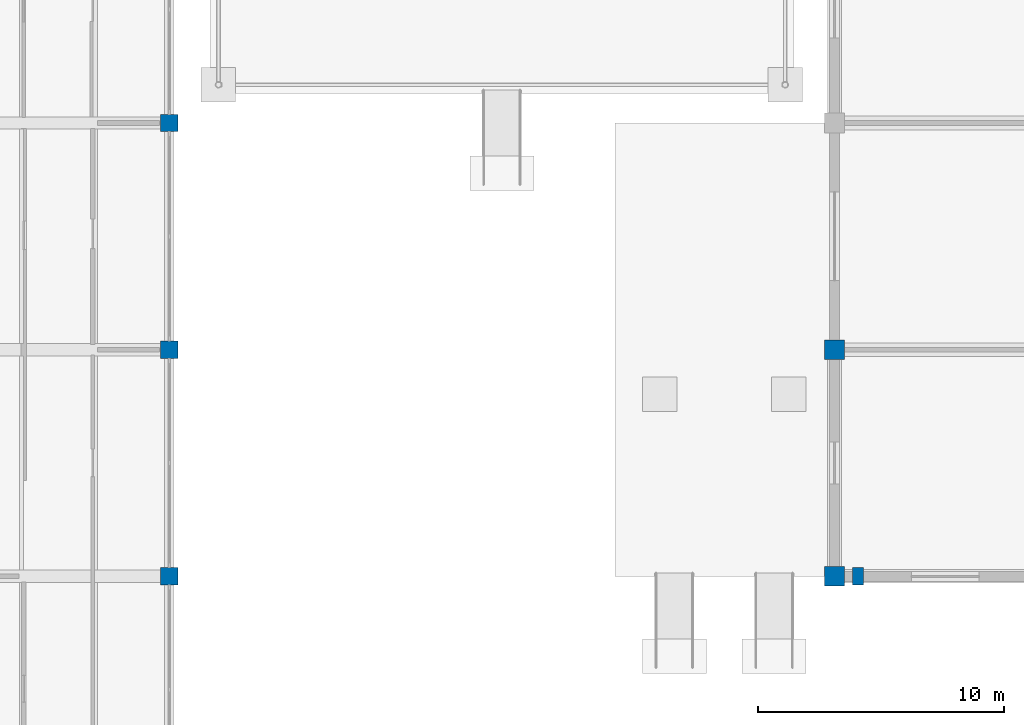
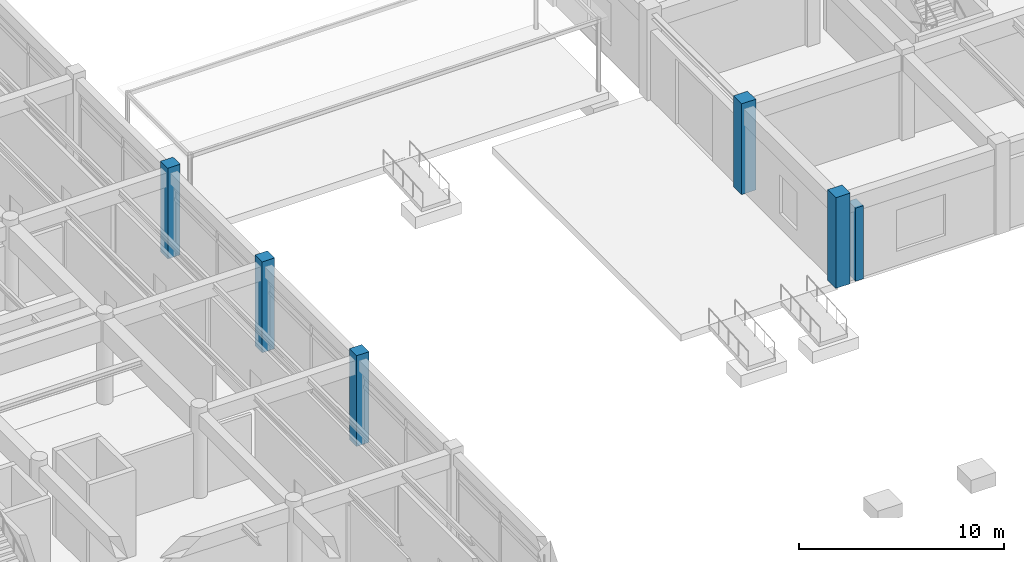
# One storey, part 20 of 76: 6 columns.
"""IFC4 building model written with IfcOpenShell, lengths in metres."""

from ifc_helpers import new_model, si_unit, direction, frame, origin, origin_2d, place, context, subcontext, project, spatial, rectangle, extrude, material, material_profile, profile_set, type_object, element, save


model = new_model("IFC4")

# Units and contexts
model_context = context("Model", 3, precision=1e-05, world=origin(), true_north=direction((0.0, 1.0)))
body_context = subcontext(model_context, "Body", "Model", "MODEL_VIEW")
ifc_project = project(units=[si_unit("LENGTHUNIT", "METRE"), si_unit("AREAUNIT", "SQUARE_METRE"), si_unit("VOLUMEUNIT", "CUBIC_METRE"), si_unit("PLANEANGLEUNIT", "RADIAN"), si_unit("MASSUNIT", "GRAM", prefix="KILO")], contexts=[model_context])

# Site, building, storey
site_placement = place(None, origin())
site = spatial("IfcSite", under=ifc_project, at=site_placement, CompositionType="ELEMENT")
building_placement = place(site_placement, origin())
building = spatial("IfcBuilding", under=site, at=building_placement, Name="Bozkorgan Art Gallery", CompositionType="ELEMENT")
storey_placement = place(building_placement, origin())
storey = spatial("IfcBuildingStorey", under=building, at=storey_placement, Name="L00", CompositionType="ELEMENT", Elevation=0.0)

# Columns
ifc_material = material(Name="Concrete C40/50", Category="concrete")
ifc_material_profile_1 = material_profile(ifc_material, rectangle(XDim=0.800048828125, YDim=0.800048828125, at=origin_2d()), Name="RC 800x800")
ifc_profile_set_1 = profile_set([ifc_material_profile_1], Name="Concrete C40/50")
column_type_1 = type_object("IfcColumnType", Name="COLUMN-C-45", PredefinedType="COLUMN", material=ifc_profile_set_1)
for number, where, z_axis, x_axis, name in (
    (1, (128.0, 66.0, 0.0), (0.0, 0.0, 1.0), (1.0, 0.0, 0.0), "V5 L00 column (128.0, 66.0)"),
    (2, (128.0, 75.199951171875, 0.0), (0.0, 0.0, 1.0), (1.0, 0.0, 0.0), "V5 L00 column (128.0, 75.2)"),
):
    element("IfcColumn", number, at=place(storey_placement, frame(where, z_axis=z_axis, x_axis=x_axis)), inside=storey, type_object=column_type_1, Name=name, PredefinedType="COLUMN", context=body_context, shape_type="SweptSolid", body=[
        extrude(rectangle(XDim=0.800048828125, YDim=0.800048828125, at=origin_2d()), origin(), (0.0, 0.0, 1.0), 5.39990234375),
    ])
ifc_material_profile_2 = material_profile(ifc_material, rectangle(XDim=0.699951171875, YDim=0.699951171875, at=origin_2d()), Name="RC 700x700")
ifc_profile_set_2 = profile_set([ifc_material_profile_2], Name="Concrete C40/50")
column_type_2 = type_object("IfcColumnType", Name="COLUMN-C-73", PredefinedType="COLUMN", material=ifc_profile_set_2)
for number, where, z_axis, x_axis, name in (
    (3, (101.0, 66.0, 0.0), (0.0, 0.0, 1.0), (1.0, 0.0, 0.0), "V4 L00 column (101.0, 66.0)"),
    (4, (101.0, 75.199951171875, 0.0), (0.0, 0.0, 1.0), (1.0, 0.0, 0.0), "V4 L00 column (101.0, 75.2)"),
    (5, (101.0, 84.39990234375, 0.0), (0.0, 0.0, 1.0), (1.0, 0.0, 0.0), "V4 L00 column (101.0, 84.4)"),
):
    element("IfcColumn", number, at=place(storey_placement, frame(where, z_axis=z_axis, x_axis=x_axis)), inside=storey, type_object=column_type_2, Name=name, PredefinedType="COLUMN", context=body_context, shape_type="SweptSolid", body=[
        extrude(rectangle(XDim=0.699951171875, YDim=0.699951171875, at=origin_2d()), origin(), (0.0, 0.0, 1.0), 5.39990234375),
    ])
ifc_material_profile_3 = material_profile(ifc_material, rectangle(XDim=0.449951171875, YDim=0.699951171875, at=origin_2d()), Name="RC 450x700")
ifc_profile_set_3 = profile_set([ifc_material_profile_3], Name="Concrete C40/50")
column_type_3 = type_object("IfcColumnType", Name="COLUMN-PL-20", PredefinedType="PILASTER", material=ifc_profile_set_3)
column_placement = place(storey_placement, frame((128.949951171875, 66.0, 0.0), z_axis=(0.0, 0.0, 1.0), x_axis=(1.0, 0.0, 0.0)))
element("IfcColumn", 6, at=column_placement, inside=storey, type_object=column_type_3, Name="V5 L00 corner masonry pilaster 5", PredefinedType="PILASTER", context=body_context, shape_type="SweptSolid", body=[
    extrude(rectangle(XDim=0.449951171875, YDim=0.699951171875, at=origin_2d()), origin(), (0.0, 0.0, 1.0), 4.35009765625),
])

save(model, "model.ifc")
